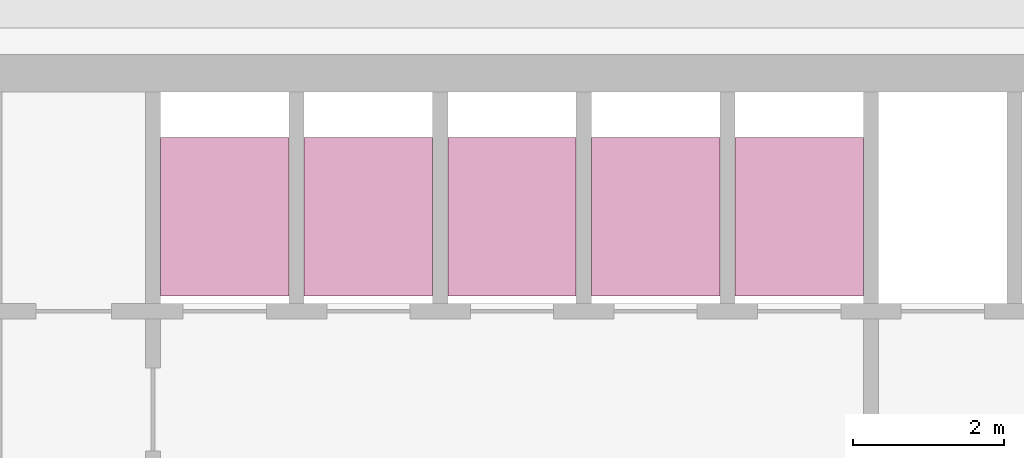
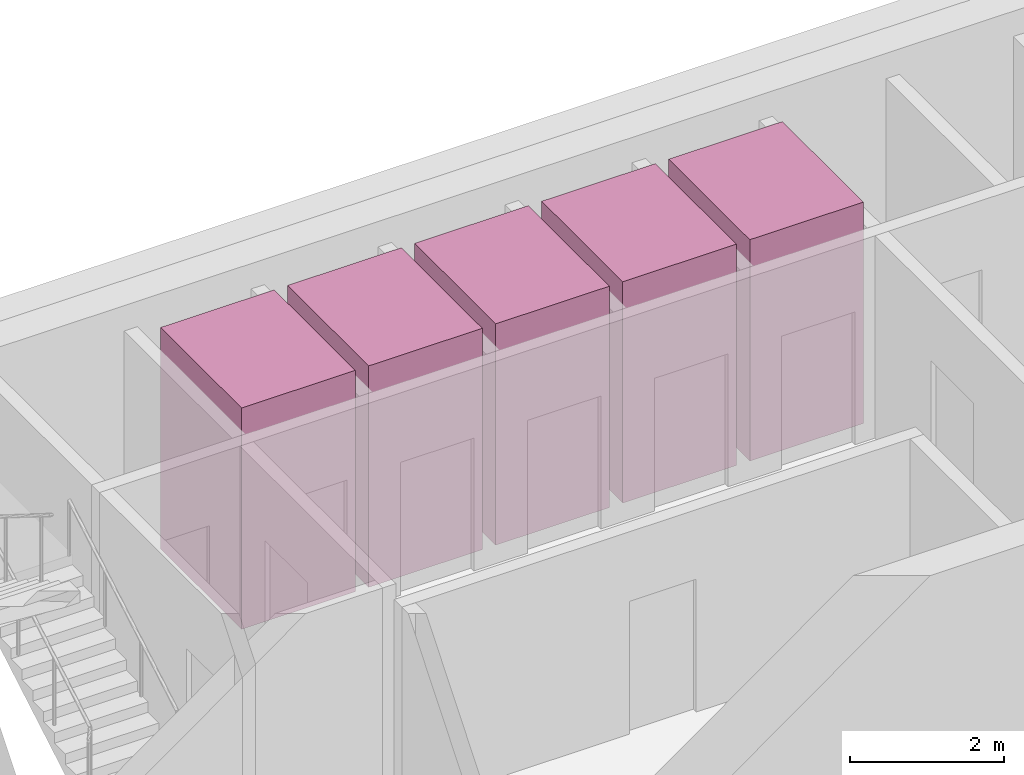
# One storey, part 9 of 9: 5 transport elements.
"""IFC4 building model written with IfcOpenShell, lengths in metres."""

from ifc_helpers import new_model, si_unit, direction, frame, origin, origin_2d, place, context, subcontext, project, spatial, rectangle, extrude, material, type_object, element, save


model = new_model("IFC4")

# Units and contexts
model_context = context("Model", 3, precision=1e-05, world=origin(), true_north=direction((0.0, 1.0)))
body_context = subcontext(model_context, "Body", "Model", "MODEL_VIEW")
ifc_project = project(units=[si_unit("LENGTHUNIT", "METRE"), si_unit("AREAUNIT", "SQUARE_METRE"), si_unit("VOLUMEUNIT", "CUBIC_METRE"), si_unit("PLANEANGLEUNIT", "RADIAN"), si_unit("MASSUNIT", "GRAM", prefix="KILO")], contexts=[model_context])

# Site, building, storey
site_placement = place(None, origin())
site = spatial("IfcSite", under=ifc_project, at=site_placement, CompositionType="ELEMENT")
building_placement = place(site_placement, origin())
building = spatial("IfcBuilding", under=site, at=building_placement, Name="Altiplano Prism Tower", CompositionType="ELEMENT")
storey_placement = place(building_placement, frame((0.0, 0.0, 302.199951171875)))
storey = spatial("IfcBuildingStorey", under=building, at=storey_placement, Name="L78", CompositionType="ELEMENT", Elevation=302.199951171875)

# Transport elements
ifc_material = material(Name="Stainless steel lift car", Category="steel")
transport_element_type = type_object("IfcTransportElementType", Name="Passenger lift car 1600 x 2100", PredefinedType="ELEVATOR", material=ifc_material)
for number, where, z_axis, x_axis, name in (
    (1, (79.050048828125, 101.75, 0.050048828125), (0.0, 0.0, 1.0), (1.0, 0.0, 0.0), "High Zone Passenger Lift 1"),
    (2, (80.949951171875, 101.75, 0.050048828125), (0.0, 0.0, 1.0), (1.0, 0.0, 0.0), "High Zone Passenger Lift 2"),
    (3, (82.85009765625, 101.75, 0.050048828125), (0.0, 0.0, 1.0), (1.0, 0.0, 0.0), "High Zone Passenger Lift 3"),
    (4, (84.75, 101.75, 0.050048828125), (0.0, 0.0, 1.0), (1.0, 0.0, 0.0), "High Zone Passenger Lift 4"),
    (5, (86.64990234375, 101.75, 0.050048828125), (0.0, 0.0, 1.0), (1.0, 0.0, 0.0), "High Zone Passenger Lift 5"),
):
    element("IfcTransportElement", number, at=place(storey_placement, frame(where, z_axis=z_axis, x_axis=x_axis)), inside=storey, type_object=transport_element_type, Name=name, PredefinedType="ELEVATOR", context=body_context, shape_type="SweptSolid", body=[
        extrude(rectangle(XDim=1.699951171875, YDim=2.10009765625, at=origin_2d()), origin(), (0.0, 0.0, 1.0), 3.5),
    ])

save(model, "model.ifc")
